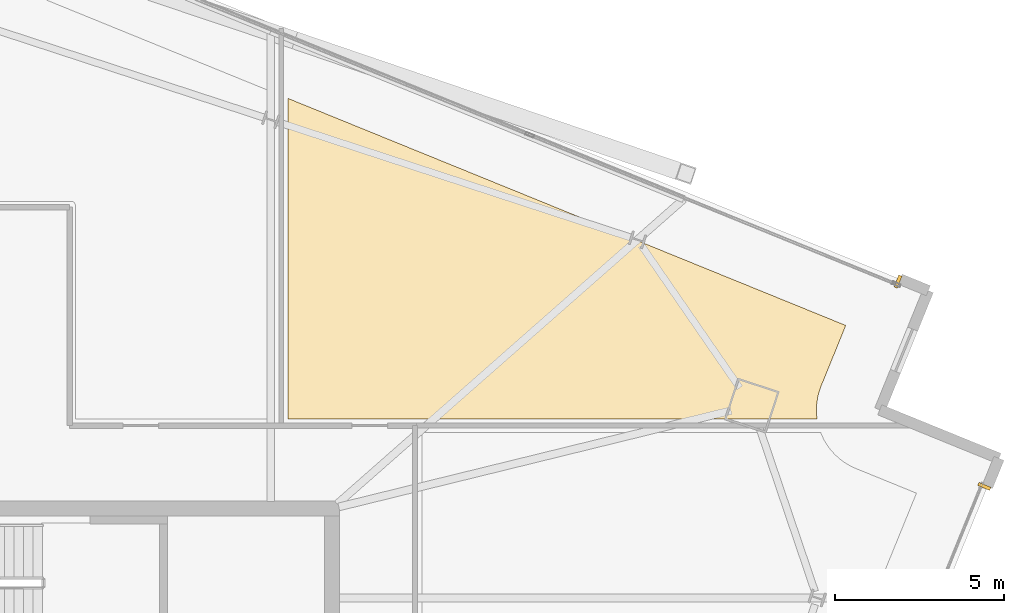
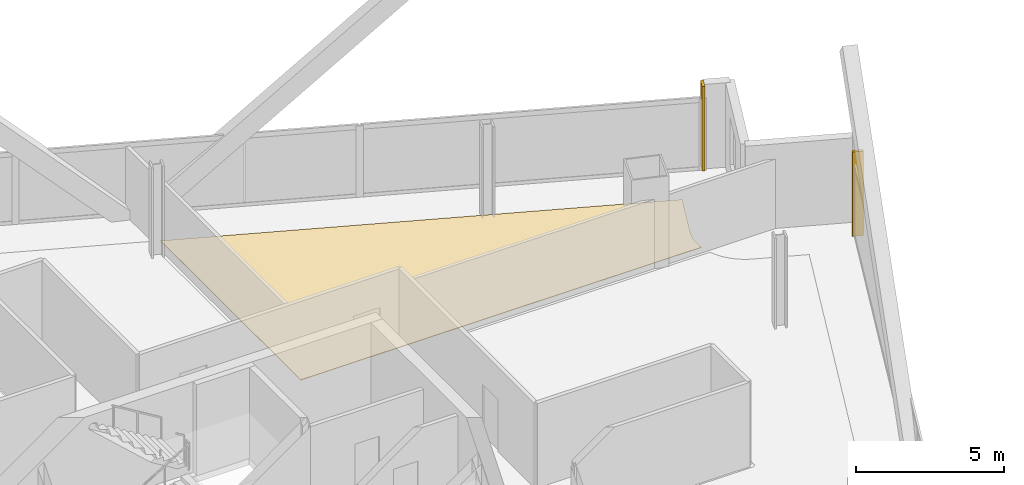
# One storey, part 31 of 31: 3 coverings.
"""IFC4 building model written with IfcOpenShell, lengths in metres."""

from ifc_helpers import new_model, si_unit, direction, frame, origin, origin_2d, place, context, subcontext, project, spatial, polyline, rectangle, outline, extrude, source, transform, mapped, material, layer, layer_set, type_object, element, save


model = new_model("IFC4")

# Units and contexts
model_context = context("Model", 3, precision=1e-05, world=origin(), true_north=direction((0.0, 1.0)))
body_context = subcontext(model_context, "Body", "Model", "MODEL_VIEW")
ifc_project = project(units=[si_unit("LENGTHUNIT", "METRE"), si_unit("AREAUNIT", "SQUARE_METRE"), si_unit("VOLUMEUNIT", "CUBIC_METRE"), si_unit("PLANEANGLEUNIT", "RADIAN"), si_unit("MASSUNIT", "GRAM", prefix="KILO")], contexts=[model_context])

# Site, building, storey
site_placement = place(None, origin())
site = spatial("IfcSite", under=ifc_project, at=site_placement, CompositionType="ELEMENT")
building_placement = place(site_placement, origin())
building = spatial("IfcBuilding", under=site, at=building_placement, Name="Haldenkirk Collegiate Tower", CompositionType="ELEMENT")
storey_placement = place(building_placement, frame((0.0, 0.0, 256.199951171875)))
storey = spatial("IfcBuildingStorey", under=building, at=storey_placement, Name="L64", CompositionType="ELEMENT", Elevation=256.199951171875)

# Coverings
ifc_material_1 = material(Name="Engineered collegiate oak acoustic flooring", Category="wood")
ifc_layer_1 = layer(ifc_material_1, 0.02197265625)
ifc_layer_set_1 = layer_set([ifc_layer_1], Name="Engineered collegiate oak acoustic flooring")
covering_type_1 = type_object("IfcCoveringType", Name="COV-FLOOR-TIMBER", PredefinedType="FLOORING", material=ifc_layer_set_1)
covering_placement = place(storey_placement, origin())
element("IfcCovering", 1, at=covering_placement, inside=storey, type_object=covering_type_1, Name="L64 academic room finish 07", PredefinedType="FLOORING", context=body_context, shape_type="SweptSolid", body=[
    extrude(outline(polyline([(59.32373046875, 36.64990234375), (43.699951171875, 36.64990234375), (43.699951171875, 46.111083984375), (60.168701171875, 39.4072265625), (59.44091796875, 37.619384765625), (59.438720703125, 37.614013671875), (59.382080078125, 37.451904296875), (59.378662109375, 37.440673828125), (59.337890625, 37.273681640625), (59.335693359375, 37.26220703125), (59.3115234375, 37.09228515625), (59.310302734375, 37.08056640625), (59.302978515625, 36.908935546875), (59.302978515625, 36.897216796875), (59.3125, 36.7255859375), (59.313720703125, 36.714111328125), (59.32373046875, 36.64990234375)])), origin(), (0.0, 0.0, 1.0), 0.02197265625),
])
ifc_material_2 = material(Name="Anodised architectural bronze aluminium", Category="aluminium")
ifc_layer_2 = layer(ifc_material_2, 0.06005859375)
ifc_layer_set_2 = layer_set([ifc_layer_2], Name="Anodised architectural bronze aluminium")
covering_type_2 = type_object("IfcCoveringType", Name="COV-CLAD-BRONZE-60", PredefinedType="CLADDING", material=ifc_layer_set_2)
shared_shape = source(origin(), body_context, "Body", "SweptSolid", [
    extrude(rectangle(XDim=0.10009765625, YDim=0.3798828125, at=origin_2d()), origin(), (0.0, 0.0, 1.0), 3.47998046875),
])
for number, where, z_axis, x_axis, name in (
    (2, (64.25830078125, 34.654296875, 0.0), (0.0, 0.0, 1.0), (-0.377032668542, -0.926199960512, 0.0), "L64 recessed curtain-wall bronze jamb closure SJL"),
    (3, (61.710205078125, 40.701416015625, 0.0), (0.0, 0.0, 1.0), (0.926199960512, -0.377032668542, 0.0), "L64 recessed curtain-wall bronze jamb closure EJR"),
):
    element("IfcCovering", number, at=place(storey_placement, frame(where, z_axis=z_axis, x_axis=x_axis)), inside=storey, type_object=covering_type_2, Name=name, PredefinedType="CLADDING", context=body_context, shape_type="MappedRepresentation", body=[
        mapped(shared_shape, transform((0.0, 0.0, 0.0), x_axis=(1.0, 0.0, 0.0), y_axis=(0.0, 1.0, 0.0), z_axis=(0.0, 0.0, 1.0), scale=1.0)),
    ])

save(model, "model.ifc")
